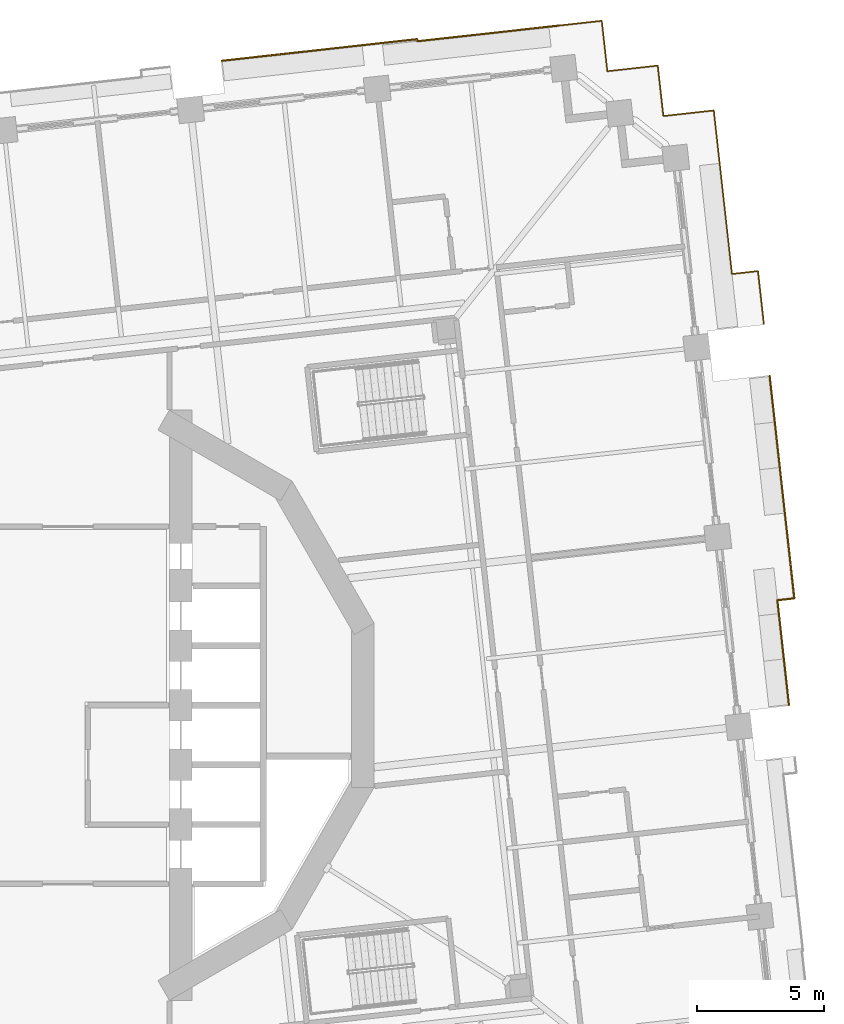
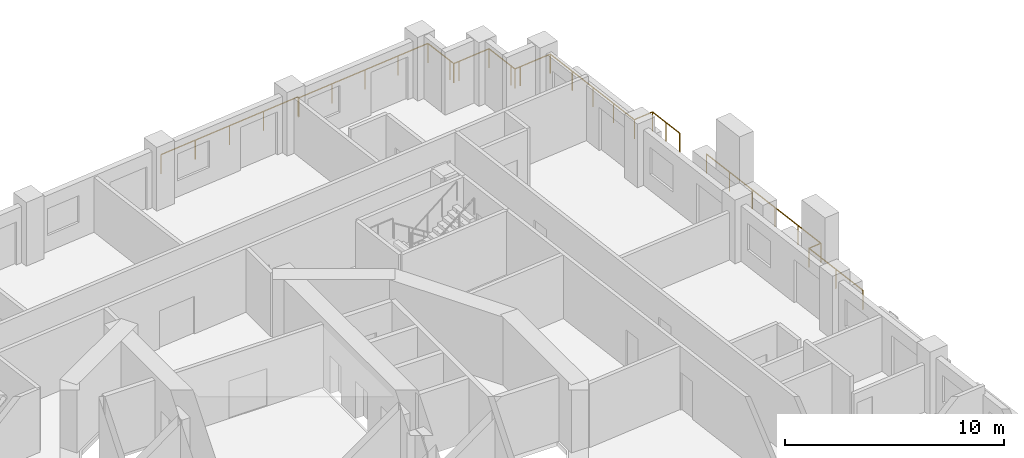
# One storey, part 20 of 21: 3 railings.
"""IFC4 building model written with IfcOpenShell, lengths in metres."""

from ifc_helpers import new_model, si_unit, direction, frame, origin, origin_2d, place, context, subcontext, project, spatial, circle, extrude, material, type_object, element, save


model = new_model("IFC4")

# Units and contexts
model_context = context("Model", 3, precision=1e-05, world=origin(), true_north=direction((0.0, 1.0)))
body_context = subcontext(model_context, "Body", "Model", "MODEL_VIEW")
ifc_project = project(units=[si_unit("LENGTHUNIT", "METRE"), si_unit("AREAUNIT", "SQUARE_METRE"), si_unit("VOLUMEUNIT", "CUBIC_METRE"), si_unit("PLANEANGLEUNIT", "RADIAN"), si_unit("MASSUNIT", "GRAM", prefix="KILO")], contexts=[model_context])

# Site, building, storey
site_placement = place(None, origin())
site = spatial("IfcSite", under=ifc_project, at=site_placement, CompositionType="ELEMENT")
building_placement = place(site_placement, origin())
building = spatial("IfcBuilding", under=site, at=building_placement, Name="Cantera Rosa Tower", CompositionType="ELEMENT")
storey_placement = place(building_placement, frame((0.0, 0.0, 69.10009765625)))
storey = spatial("IfcBuildingStorey", under=building, at=storey_placement, Name="L14", CompositionType="ELEMENT", Elevation=69.10009765625)

# Railings
ifc_material = material(Name="Stainless steel and laminated glass", Category="steel")
railing_type = type_object("IfcRailingType", Name="GUARD 1100", PredefinedType="BALUSTRADE", material=ifc_material)
railing_1_placement = place(storey_placement, frame((27.669677734375, 12.9814453125, 0.0)))
element("IfcRailing", 1, at=railing_1_placement, inside=storey, type_object=railing_type, Name="GUARD L14-11", PredefinedType="BALUSTRADE", context=body_context, shape_type="SweptSolid", body=[
    extrude(circle(Radius=0.030029296875, at=origin_2d()), frame((0.0, 0.0, 1.070068359375), z_axis=(0.110300926384, -0.993898237064, 0.0), x_axis=(0.993898237064, 0.110300926384, 0.0)), (0.0, 0.0, 1.0), 8.82275390625),
    extrude(circle(Radius=0.030029296875, at=origin_2d()), frame((0.97314453125, -8.768798828125, 1.070068359375), z_axis=(-0.993905824937, -0.110232532208, 0.0), x_axis=(0.110232532208, -0.993905824937, 0.0)), (0.0, 0.0, 1.0), 0.67333984375),
    extrude(circle(Radius=0.030029296875, at=origin_2d()), frame((0.303955078125, -8.843017578125, 1.070068359375), z_axis=(0.110347732508, -0.993893041494, 0.0), x_axis=(0.993893041494, 0.110347732508, 0.0)), (0.0, 0.0, 1.0), 4.1572265625),
    extrude(circle(Radius=0.02490234375, at=origin_2d()), origin(), (0.0, 0.0, 1.0), 1.0400390625),
    extrude(circle(Radius=0.02490234375, at=origin_2d()), frame((0.194580078125, -1.753662109375, 0.0)), (0.0, 0.0, 1.0), 1.0400390625),
    extrude(circle(Radius=0.02490234375, at=origin_2d()), frame((0.38916015625, -3.507568359375, 0.0)), (0.0, 0.0, 1.0), 1.0400390625),
    extrude(circle(Radius=0.02490234375, at=origin_2d()), frame((0.583984375, -5.26123046875, 0.0)), (0.0, 0.0, 1.0), 1.0400390625),
    extrude(circle(Radius=0.02490234375, at=origin_2d()), frame((0.778564453125, -7.01513671875, 0.0)), (0.0, 0.0, 1.0), 1.0400390625),
    extrude(circle(Radius=0.02490234375, at=origin_2d()), frame((0.97314453125, -8.768798828125, 0.0)), (0.0, 0.0, 1.0), 1.0400390625),
    extrude(circle(Radius=0.02490234375, at=origin_2d()), frame((0.303955078125, -8.843017578125, 0.0)), (0.0, 0.0, 1.0), 1.0400390625),
    extrude(circle(Radius=0.02490234375, at=origin_2d()), frame((0.533203125, -10.908935546875, 0.0)), (0.0, 0.0, 1.0), 1.0400390625),
    extrude(circle(Radius=0.02490234375, at=origin_2d()), frame((0.7626953125, -12.974853515625, 0.0)), (0.0, 0.0, 1.0), 1.0400390625),
])
railing_2_placement = place(storey_placement, frame((19.36181640625, 26.79931640625, 0.0)))
element("IfcRailing", 2, at=railing_2_placement, inside=storey, type_object=railing_type, Name="GUARD L14-12", PredefinedType="BALUSTRADE", context=body_context, shape_type="SweptSolid", body=[
    extrude(circle(Radius=0.030029296875, at=origin_2d()), frame((0.0, 0.0, 1.070068359375), z_axis=(0.993883734674, 0.110431526075, 0.0), x_axis=(-0.110431526075, 0.993883734674, 0.0)), (0.0, 0.0, 1.0), 1.7001953125),
    extrude(circle(Radius=0.030029296875, at=origin_2d()), frame((1.689697265625, 0.187744140625, 1.070068359375), z_axis=(0.110289669906, -0.993899486222, 0.0), x_axis=(0.993899486222, 0.110289669906, 0.0)), (0.0, 0.0, 1.0), 1.699951171875),
    extrude(circle(Radius=0.030029296875, at=origin_2d()), frame((1.877197265625, -1.501953125, 1.070068359375), z_axis=(0.110699535641, -0.99385391925, 0.0), x_axis=(0.99385391925, 0.110699535641, 0.0)), (0.0, 0.0, 1.0), 0.300048828125),
    extrude(circle(Radius=0.030029296875, at=origin_2d()), frame((1.910400390625, -1.800048828125, 1.070068359375), z_axis=(0.993943154022, 0.10989543472, 0.0), x_axis=(-0.10989543472, 0.993943154022, 0.0)), (0.0, 0.0, 1.0), 0.2998046875),
    extrude(circle(Radius=0.030029296875, at=origin_2d()), frame((2.20849609375, -1.76708984375, 1.070068359375), z_axis=(0.993899486222, 0.110289669906, 0.0), x_axis=(-0.110289669906, 0.993899486222, 0.0)), (0.0, 0.0, 1.0), 1.699951171875),
    extrude(circle(Radius=0.030029296875, at=origin_2d()), frame((3.898193359375, -1.57958984375, 1.070068359375), z_axis=(0.110305413813, -0.993897739047, 0.0), x_axis=(0.993897739047, 0.110305413813, 0.0)), (0.0, 0.0, 1.0), 1.69970703125),
    extrude(circle(Radius=0.030029296875, at=origin_2d()), frame((4.085693359375, -3.26904296875, 1.070068359375), z_axis=(0.1098065887, -0.993952973273, 0.0), x_axis=(0.993952973273, 0.1098065887, 0.0)), (0.0, 0.0, 1.0), 0.300048828125),
    extrude(circle(Radius=0.030029296875, at=origin_2d()), frame((4.11865234375, -3.5673828125, 1.070068359375), z_axis=(0.993863881828, 0.110610055588, 0.0), x_axis=(-0.110610055588, 0.993863881828, 0.0)), (0.0, 0.0, 1.0), 0.30029296875),
    extrude(circle(Radius=0.030029296875, at=origin_2d()), frame((4.4169921875, -3.5341796875, 1.070068359375), z_axis=(0.993897739047, 0.110305413813, 0.0), x_axis=(-0.110305413813, 0.993897739047, 0.0)), (0.0, 0.0, 1.0), 1.69970703125),
    extrude(circle(Radius=0.030029296875, at=origin_2d()), frame((6.1064453125, -3.3466796875, 1.070068359375), z_axis=(0.110289669906, -0.993899486222, 0.0), x_axis=(0.993899486222, 0.110289669906, 0.0)), (0.0, 0.0, 1.0), 1.699951171875),
    extrude(circle(Radius=0.030029296875, at=origin_2d()), frame((6.2939453125, -5.036376953125, 1.070068359375), z_axis=(0.110308384039, -0.993897409399, 0.0), x_axis=(0.993897409399, 0.110308384039, 0.0)), (0.0, 0.0, 1.0), 4.787353515625),
    extrude(circle(Radius=0.030029296875, at=origin_2d()), frame((6.822021484375, -9.79443359375, 1.070068359375), z_axis=(0.993889498172, 0.110379642247, 0.0), x_axis=(-0.110379642247, 0.993889498172, 0.0)), (0.0, 0.0, 1.0), 1.032958984375),
    extrude(circle(Radius=0.030029296875, at=origin_2d()), frame((7.8486328125, -9.680419921875, 1.070068359375), z_axis=(0.110304087838, -0.993897886207, 0.0), x_axis=(0.993897886207, 0.110304087838, 0.0)), (0.0, 0.0, 1.0), 2.102783203125),
    extrude(circle(Radius=0.02490234375, at=origin_2d()), origin(), (0.0, 0.0, 1.0), 1.0400390625),
    extrude(circle(Radius=0.02490234375, at=origin_2d()), frame((1.689697265625, 0.187744140625, 0.0)), (0.0, 0.0, 1.0), 1.0400390625),
    extrude(circle(Radius=0.02490234375, at=origin_2d()), frame((1.877197265625, -1.501953125, 0.0)), (0.0, 0.0, 1.0), 1.0400390625),
    extrude(circle(Radius=0.02490234375, at=origin_2d()), frame((1.910400390625, -1.800048828125, 0.0)), (0.0, 0.0, 1.0), 1.0400390625),
    extrude(circle(Radius=0.02490234375, at=origin_2d()), frame((2.20849609375, -1.76708984375, 0.0)), (0.0, 0.0, 1.0), 1.0400390625),
    extrude(circle(Radius=0.02490234375, at=origin_2d()), frame((3.898193359375, -1.57958984375, 0.0)), (0.0, 0.0, 1.0), 1.0400390625),
    extrude(circle(Radius=0.02490234375, at=origin_2d()), frame((4.085693359375, -3.26904296875, 0.0)), (0.0, 0.0, 1.0), 1.0400390625),
    extrude(circle(Radius=0.02490234375, at=origin_2d()), frame((4.11865234375, -3.5673828125, 0.0)), (0.0, 0.0, 1.0), 1.0400390625),
    extrude(circle(Radius=0.02490234375, at=origin_2d()), frame((4.4169921875, -3.5341796875, 0.0)), (0.0, 0.0, 1.0), 1.0400390625),
    extrude(circle(Radius=0.02490234375, at=origin_2d()), frame((6.1064453125, -3.3466796875, 0.0)), (0.0, 0.0, 1.0), 1.0400390625),
    extrude(circle(Radius=0.02490234375, at=origin_2d()), frame((6.2939453125, -5.036376953125, 0.0)), (0.0, 0.0, 1.0), 1.0400390625),
    extrude(circle(Radius=0.02490234375, at=origin_2d()), frame((6.469970703125, -6.622314453125, 0.0)), (0.0, 0.0, 1.0), 1.0400390625),
    extrude(circle(Radius=0.02490234375, at=origin_2d()), frame((6.64599609375, -8.20849609375, 0.0)), (0.0, 0.0, 1.0), 1.0400390625),
    extrude(circle(Radius=0.02490234375, at=origin_2d()), frame((6.822021484375, -9.79443359375, 0.0)), (0.0, 0.0, 1.0), 1.0400390625),
    extrude(circle(Radius=0.02490234375, at=origin_2d()), frame((7.8486328125, -9.680419921875, 0.0)), (0.0, 0.0, 1.0), 1.0400390625),
    extrude(circle(Radius=0.02490234375, at=origin_2d()), frame((7.964599609375, -10.725341796875, 0.0)), (0.0, 0.0, 1.0), 1.0400390625),
    extrude(circle(Radius=0.02490234375, at=origin_2d()), frame((8.08056640625, -11.770263671875, 0.0)), (0.0, 0.0, 1.0), 1.0400390625),
])
railing_3_placement = place(storey_placement, frame((6.06396484375, 25.4091796875, 0.0)))
element("IfcRailing", 3, at=railing_3_placement, inside=storey, type_object=railing_type, Name="GUARD L14-13", PredefinedType="BALUSTRADE", context=body_context, shape_type="SweptSolid", body=[
    extrude(circle(Radius=0.030029296875, at=origin_2d()), frame((0.0, 0.0, 1.070068359375), z_axis=(0.993897547531, 0.110307139445, 0.0), x_axis=(-0.110307139445, 0.993897547531, 0.0)), (0.0, 0.0, 1.0), 7.75537109375),
    extrude(circle(Radius=0.030029296875, at=origin_2d()), frame((7.7080078125, 0.85546875, 1.070068359375), z_axis=(0.108859286546, -0.994057169248, 0.0), x_axis=(0.994057169248, 0.108859286546, 0.0)), (0.0, 0.0, 1.0), 0.085205078125),
    extrude(circle(Radius=0.030029296875, at=origin_2d()), frame((7.71728515625, 0.770751953125, 1.070068359375), z_axis=(0.993896984026, 0.110312216663, 0.0), x_axis=(-0.110312216663, 0.993896984026, 0.0)), (0.0, 0.0, 1.0), 5.61474609375),
    extrude(circle(Radius=0.02490234375, at=origin_2d()), origin(), (0.0, 0.0, 1.0), 1.0400390625),
    extrude(circle(Radius=0.02490234375, at=origin_2d()), frame((1.927001953125, 0.2138671875, 0.0)), (0.0, 0.0, 1.0), 1.0400390625),
    extrude(circle(Radius=0.02490234375, at=origin_2d()), frame((3.85400390625, 0.427734375, 0.0)), (0.0, 0.0, 1.0), 1.0400390625),
    extrude(circle(Radius=0.02490234375, at=origin_2d()), frame((5.781005859375, 0.6416015625, 0.0)), (0.0, 0.0, 1.0), 1.0400390625),
    extrude(circle(Radius=0.02490234375, at=origin_2d()), frame((7.7080078125, 0.85546875, 0.0)), (0.0, 0.0, 1.0), 1.0400390625),
    extrude(circle(Radius=0.02490234375, at=origin_2d()), frame((7.71728515625, 0.770751953125, 0.0)), (0.0, 0.0, 1.0), 1.0400390625),
    extrude(circle(Radius=0.02490234375, at=origin_2d()), frame((9.577392578125, 0.977294921875, 0.0)), (0.0, 0.0, 1.0), 1.0400390625),
    extrude(circle(Radius=0.02490234375, at=origin_2d()), frame((11.437744140625, 1.18359375, 0.0)), (0.0, 0.0, 1.0), 1.0400390625),
    extrude(circle(Radius=0.02490234375, at=origin_2d()), frame((13.2978515625, 1.39013671875, 0.0)), (0.0, 0.0, 1.0), 1.0400390625),
])

save(model, "model.ifc")
